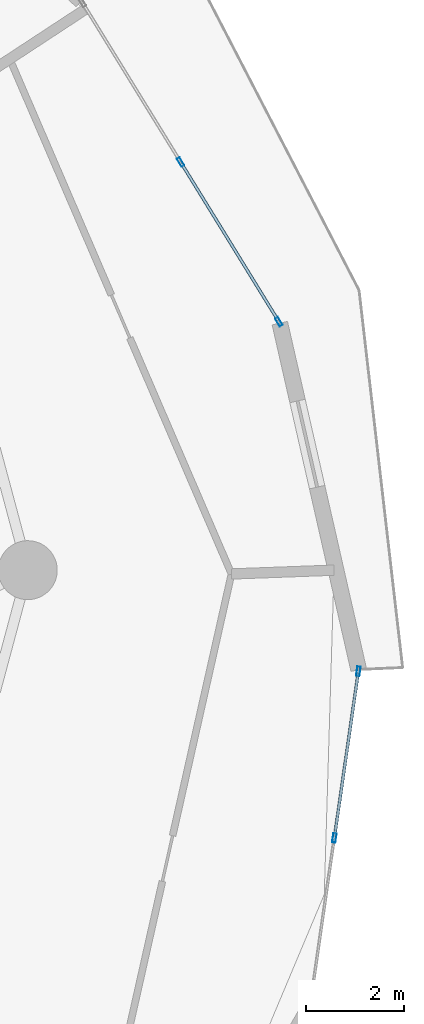
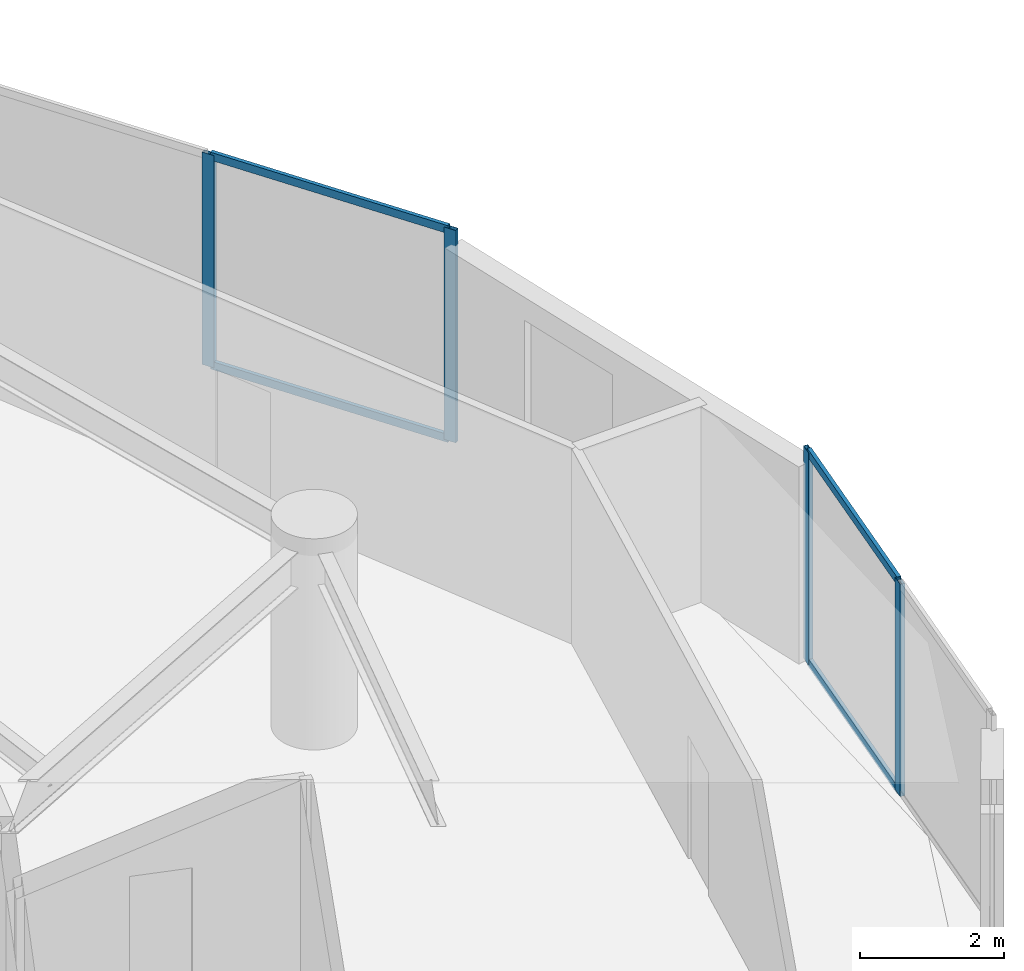
# One storey, part 14 of 26: 8 members, 2 elements without a shape of their own.
"""IFC4 building model written with IfcOpenShell, lengths in metres."""

from ifc_helpers import new_model, si_unit, direction, frame, origin, origin_2d, place, context, subcontext, project, spatial, hollow_rectangle, extrude, source, transform, mapped, material, layer, layer_set, material_profile, profile_set, type_object, element, aggregate, save


model = new_model("IFC4")

# Units and contexts
model_context = context("Model", 3, precision=1e-05, world=origin(), true_north=direction((0.0, 1.0)))
body_context = subcontext(model_context, "Body", "Model", "MODEL_VIEW")
ifc_project = project(units=[si_unit("LENGTHUNIT", "METRE"), si_unit("AREAUNIT", "SQUARE_METRE"), si_unit("VOLUMEUNIT", "CUBIC_METRE"), si_unit("PLANEANGLEUNIT", "RADIAN"), si_unit("MASSUNIT", "GRAM", prefix="KILO")], contexts=[model_context])

# Site, building, storey
site_placement = place(None, origin())
site = spatial("IfcSite", under=ifc_project, at=site_placement, CompositionType="ELEMENT")
building_placement = place(site_placement, origin())
building = spatial("IfcBuilding", under=site, at=building_placement, Name="Solvirekh Grand Hotel", CompositionType="ELEMENT")
storey_placement = place(building_placement, frame((0.0, 0.0, 71.60009765625)))
storey = spatial("IfcBuildingStorey", under=building, at=storey_placement, Name="L17", CompositionType="ELEMENT", Elevation=71.60009765625)

# Curtain wall, members
ifc_material = material(Name="Anodized Bronze Aluminium 6063-T6", Category="aluminium")
ifc_layer = layer(ifc_material, 0.18994140625)
ifc_layer_set = layer_set([ifc_layer], Name="Anodized Bronze Aluminium 6063-T6")
curtain_wall_type = type_object("IfcCurtainWallType", Name="CW_Sys2_LowZoneFlushBronzeCW", PredefinedType="NOTDEFINED", material=ifc_layer_set)
curtain_wall_1_placement = place(storey_placement, origin())
curtain_wall_1 = element("IfcCurtainWall", 1, at=curtain_wall_1_placement, inside=storey, type_object=curtain_wall_type, Name="L17 unitised bronze-glass curtain wall CW-L17-C01", PredefinedType="NOTDEFINED")
ifc_material_profile_1 = material_profile(ifc_material, hollow_rectangle(XDim=0.06005859375, YDim=0.135009765625, WallThickness=0.00390625, at=origin_2d()), Name="ALU RHS 135X60X4")
ifc_profile_set_1 = profile_set([ifc_material_profile_1], Name="Anodized Bronze Aluminium 6063-T6")
member_type_1 = type_object("IfcMemberType", Name="CWTransom_Sys2", PredefinedType="USERDEFINED", material=ifc_profile_set_1)
shared_shape_1 = source(origin(), body_context, "Body", "SweptSolid", [
    extrude(hollow_rectangle(XDim=0.06005859375, YDim=0.135009765625, WallThickness=0.00390625, at=origin_2d()), origin(), (0.0, 0.0, 1.0), 3.357421875),
])
member_1_placement = place(storey_placement, frame((24.846923828125, -5.417236328125, 0.02978515625), z_axis=(0.142673453531, 0.989769814481, 0.0), x_axis=(-0.989769814481, 0.142673453531, 0.0)))
member_1 = element("IfcMember", 2, at=member_1_placement, type_object=member_type_1, Name="U02 transom 2.1", ObjectType="TRANSOM", PredefinedType="USERDEFINED", context=body_context, shape_type="MappedRepresentation", body=[
    mapped(shared_shape_1, transform((0.0, 0.0, 0.0), x_axis=(1.0, 0.0, 0.0), y_axis=(0.0, 1.0, 0.0), z_axis=(0.0, 0.0, 1.0), scale=1.0)),
])
member_2_placement = place(storey_placement, frame((24.846923828125, -5.417236328125, 3.56982421875), z_axis=(0.142673453531, 0.989769814481, 0.0), x_axis=(-0.989769814481, 0.142673453531, 0.0)))
member_2 = element("IfcMember", 3, at=member_2_placement, type_object=member_type_1, Name="U02 transom 2.2", ObjectType="TRANSOM", PredefinedType="USERDEFINED", context=body_context, shape_type="MappedRepresentation", body=[
    mapped(shared_shape_1, transform((0.0, 0.0, 0.0), x_axis=(1.0, 0.0, 0.0), y_axis=(0.0, 1.0, 0.0), z_axis=(0.0, 0.0, 1.0), scale=1.0)),
])

curtain_wall_2_placement = place(storey_placement, origin())
curtain_wall_2 = element("IfcCurtainWall", 4, at=curtain_wall_2_placement, inside=storey, type_object=curtain_wall_type, Name="L17 unitised bronze-glass curtain wall CW-L17-C03", PredefinedType="NOTDEFINED")
shared_shape_2 = source(origin(), body_context, "Body", "SweptSolid", [
    extrude(hollow_rectangle(XDim=0.06005859375, YDim=0.135009765625, WallThickness=0.00390625, at=origin_2d()), origin(), (0.0, 0.0, 1.0), 3.74755859375),
])
member_3_placement = place(storey_placement, frame((23.6943359375, 5.087646484375, 0.02978515625), z_axis=(-0.524348195341, 0.851503945994, 0.0), x_axis=(-0.851503945994, -0.524348195341, 0.0)))
member_3 = element("IfcMember", 5, at=member_3_placement, type_object=member_type_1, Name="U02 transom 1.1", ObjectType="TRANSOM", PredefinedType="USERDEFINED", context=body_context, shape_type="MappedRepresentation", body=[
    mapped(shared_shape_2, transform((0.0, 0.0, 0.0), x_axis=(1.0, 0.0, 0.0), y_axis=(0.0, 1.0, 0.0), z_axis=(0.0, 0.0, 1.0), scale=1.0)),
])
member_4_placement = place(storey_placement, frame((23.6943359375, 5.087646484375, 3.56982421875), z_axis=(-0.524348195341, 0.851503945994, 0.0), x_axis=(-0.851503945994, -0.524348195341, 0.0)))
member_4 = element("IfcMember", 6, at=member_4_placement, type_object=member_type_1, Name="U02 transom 1.2", ObjectType="TRANSOM", PredefinedType="USERDEFINED", context=body_context, shape_type="MappedRepresentation", body=[
    mapped(shared_shape_2, transform((0.0, 0.0, 0.0), x_axis=(1.0, 0.0, 0.0), y_axis=(0.0, 1.0, 0.0), z_axis=(0.0, 0.0, 1.0), scale=1.0)),
])

# Member
ifc_material_profile_2 = material_profile(ifc_material, hollow_rectangle(XDim=0.070068359375, YDim=0.18994140625, WallThickness=0.0048828125, at=origin_2d()), Name="ALU RHS 190X70X5")
ifc_profile_set_2 = profile_set([ifc_material_profile_2], Name="Anodized Bronze Aluminium 6063-T6")
member_type_2 = type_object("IfcMemberType", Name="CWMullion_Sys2", PredefinedType="MULLION", material=ifc_profile_set_2)
shared_shape_3 = source(origin(), body_context, "Body", "SweptSolid", [
    extrude(hollow_rectangle(XDim=0.070068359375, YDim=0.18994140625, WallThickness=0.0048828125, at=origin_2d()), origin(), (0.0, 0.0, 1.0), 3.599853515625),
])
member_5_placement = place(storey_placement, frame((24.842041015625, -5.451904296875, 0.0), z_axis=(0.0, 0.0, 1.0), x_axis=(-0.989769634692, 0.142674700774, 0.0)))
member_5 = element("IfcMember", 7, at=member_5_placement, type_object=member_type_2, Name="U02 mullion 2", PredefinedType="MULLION", context=body_context, shape_type="MappedRepresentation", body=[
    mapped(shared_shape_3, transform((0.0, 0.0, 0.0), x_axis=(1.0, 0.0, 0.0), y_axis=(0.0, 1.0, 0.0), z_axis=(0.0, 0.0, 1.0), scale=1.0)),
])

member_6_placement = place(storey_placement, frame((25.3310546875, -2.0595703125, 0.0), z_axis=(0.0, 0.0, 1.0), x_axis=(-0.989769634692, 0.142674700774, 0.0)))
member_6 = element("IfcMember", 8, at=member_6_placement, type_object=member_type_2, Name="U02 mullion 3", PredefinedType="MULLION", context=body_context, shape_type="MappedRepresentation", body=[
    mapped(shared_shape_3, transform((0.0, 0.0, 0.0), x_axis=(1.0, 0.0, 0.0), y_axis=(0.0, 1.0, 0.0), z_axis=(0.0, 0.0, 1.0), scale=1.0)),
])

aggregate(curtain_wall_1, [member_5, member_6, member_1, member_2])

member_7_placement = place(storey_placement, frame((23.712646484375, 5.057861328125, 0.0), z_axis=(0.0, 0.0, 1.0), x_axis=(-0.851515689405, -0.524329124403, 0.0)))
member_7 = element("IfcMember", 9, at=member_7_placement, type_object=member_type_2, Name="U02 mullion 1", PredefinedType="MULLION", context=body_context, shape_type="MappedRepresentation", body=[
    mapped(shared_shape_3, transform((0.0, 0.0, 0.0), x_axis=(1.0, 0.0, 0.0), y_axis=(0.0, 1.0, 0.0), z_axis=(0.0, 0.0, 1.0), scale=1.0)),
])

member_8_placement = place(storey_placement, frame((21.7109375, 8.30859375, 0.0), z_axis=(0.0, 0.0, 1.0), x_axis=(-0.851515689405, -0.524329124403, 0.0)))
member_8 = element("IfcMember", 10, at=member_8_placement, type_object=member_type_2, Name="U02 mullion 2", PredefinedType="MULLION", context=body_context, shape_type="MappedRepresentation", body=[
    mapped(shared_shape_3, transform((0.0, 0.0, 0.0), x_axis=(1.0, 0.0, 0.0), y_axis=(0.0, 1.0, 0.0), z_axis=(0.0, 0.0, 1.0), scale=1.0)),
])

aggregate(curtain_wall_2, [member_7, member_8, member_3, member_4])

save(model, "model.ifc")
